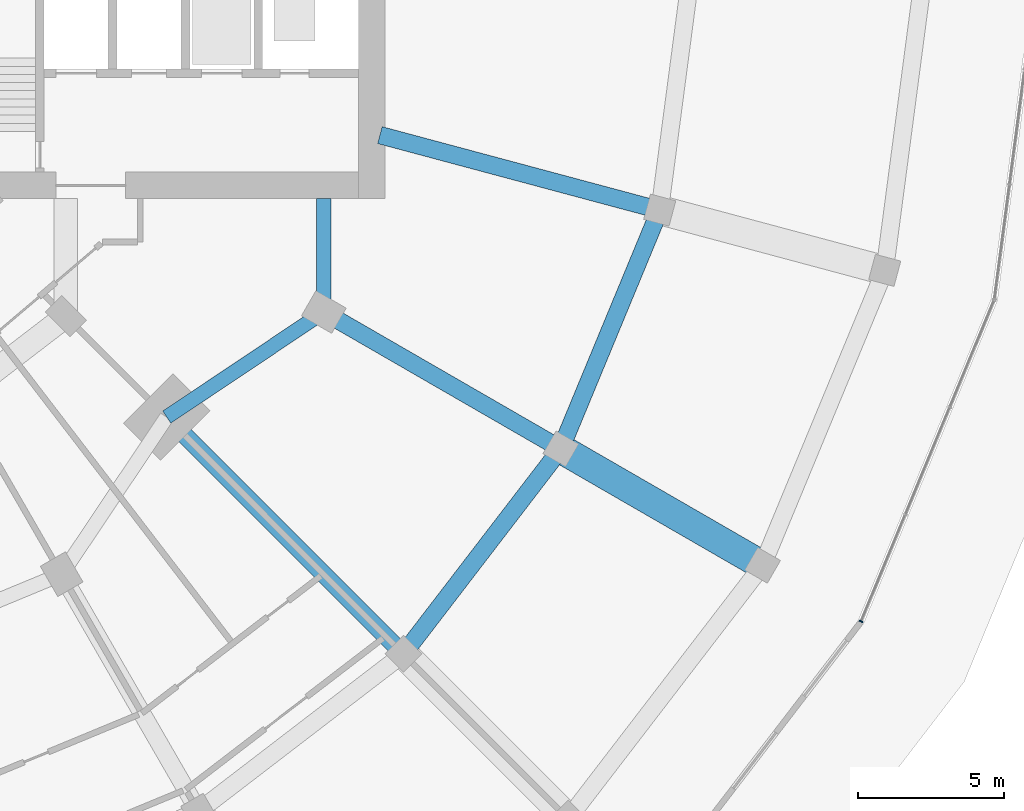
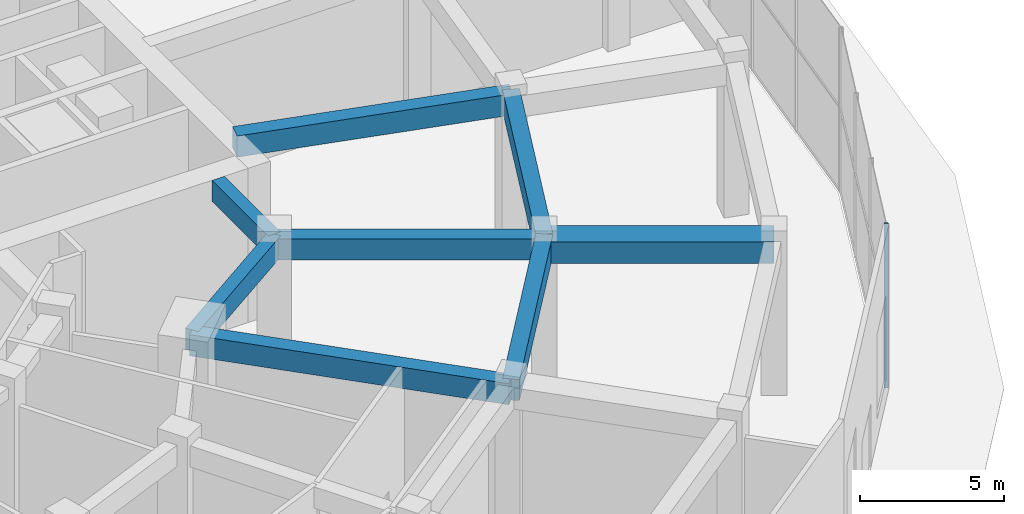
# One storey, part 8 of 31: 8 beams, 1 member, 1 element without a shape of its own.
"""IFC4 building model written with IfcOpenShell, lengths in metres."""

from ifc_helpers import new_model, si_unit, direction, frame, origin, origin_2d, place, context, subcontext, project, spatial, rectangle, extrude, material, layer, layer_set, material_profile, profile_set, type_object, element, aggregate, save


model = new_model("IFC4")

# Units and contexts
model_context = context("Model", 3, precision=1e-05, world=origin(), true_north=direction((0.0, 1.0)))
body_context = subcontext(model_context, "Body", "Model", "MODEL_VIEW")
ifc_project = project(units=[si_unit("LENGTHUNIT", "METRE"), si_unit("AREAUNIT", "SQUARE_METRE"), si_unit("VOLUMEUNIT", "CUBIC_METRE"), si_unit("PLANEANGLEUNIT", "RADIAN"), si_unit("MASSUNIT", "GRAM", prefix="KILO")], contexts=[model_context])

# Site, building, storey
site_placement = place(None, origin())
site = spatial("IfcSite", under=ifc_project, at=site_placement, CompositionType="ELEMENT")
building_placement = place(site_placement, origin())
building = spatial("IfcBuilding", under=site, at=building_placement, Name="Torre Brocal", CompositionType="ELEMENT")
storey_placement = place(building_placement, origin())
storey = spatial("IfcBuildingStorey", under=building, at=storey_placement, Name="L00", CompositionType="ELEMENT", Elevation=0.0)

# Curtain wall, member
ifc_material_1 = material(Name="Aluminium and glass", Category="aluminium")
ifc_layer = layer(ifc_material_1, 0.199951171875)
ifc_layer_set = layer_set([ifc_layer], Name="Aluminium and glass")
curtain_wall_type = type_object("IfcCurtainWallType", Name="CW-3 CURTAIN WALL 7000 HIGH", PredefinedType="NOTDEFINED", material=ifc_layer_set)
curtain_wall_placement = place(storey_placement, origin())
curtain_wall = element("IfcCurtainWall", 1, at=curtain_wall_placement, inside=storey, type_object=curtain_wall_type, Name="CW-3 RUN 23", PredefinedType="NOTDEFINED")
ifc_material_2 = material(Name="Aluminium, dark anodised", Category="aluminium")
ifc_material_profile_1 = material_profile(ifc_material_2, rectangle(XDim=0.14990234375, YDim=0.050048828125, at=origin_2d()), Name="CW-3 MULLION 50X150")
ifc_profile_set_1 = profile_set([ifc_material_profile_1], Name="Aluminium, dark anodised")
member_type = type_object("IfcMemberType", Name="CW-3 MULLION 50X150", PredefinedType="MULLION", material=ifc_profile_set_1)
member_placement = place(storey_placement, frame((119.75927734375, 52.073486328125, 0.0), z_axis=(0.0, 0.0, 1.0), x_axis=(-0.923879532525, 0.382683432333, 0.0)))
member = element("IfcMember", 2, at=member_placement, type_object=member_type, Name="CW3-1 mullion 1", PredefinedType="MULLION", context=body_context, shape_type="SweptSolid", body=[
    extrude(rectangle(XDim=0.14990234375, YDim=0.050048828125, at=origin_2d()), origin(), (0.0, 0.0, 1.0), 7.0),
])
aggregate(curtain_wall, [member])

# Beams
ifc_material_3 = material(Name="Concrete C50", Category="concrete")
ifc_material_profile_2 = material_profile(ifc_material_3, rectangle(XDim=0.60009765625, YDim=0.89990234375, at=origin_2d()), Name="RC 600X900")
ifc_profile_set_2 = profile_set([ifc_material_profile_2], Name="Concrete C50")
beam_type_1 = type_object("IfcBeamType", Name="RC BEAM 600X900 C50 TOP 6550", PredefinedType="BEAM", material=ifc_profile_set_2)
beam_1_placement = place(storey_placement, frame((104.041748046875, 50.958251953125, 6.10009765625), z_axis=(0.608743902882, 0.793366788253, 0.0), x_axis=(-0.793366788253, 0.608743902882, 0.0)))
element("IfcBeam", 3, at=beam_1_placement, inside=storey, type_object=beam_type_1, Name="Beam BT-07", PredefinedType="BEAM", context=body_context, shape_type="SweptSolid", body=[
    extrude(rectangle(XDim=0.60009765625, YDim=0.89990234375, at=origin_2d()), origin(), (0.0, 0.0, 1.0), 8.875732421875),
])
beam_2_placement = place(storey_placement, frame((109.44482421875, 58.0, 6.10009765625), z_axis=(0.382692703012, 0.923875692429, 0.0), x_axis=(-0.923875692429, 0.382692703012, 0.0)))
element("IfcBeam", 4, at=beam_2_placement, inside=storey, type_object=beam_type_1, Name="Beam BT-07", PredefinedType="BEAM", context=body_context, shape_type="SweptSolid", body=[
    extrude(rectangle(XDim=0.60009765625, YDim=0.89990234375, at=origin_2d()), origin(), (0.0, 0.0, 1.0), 8.8759765625),
])
beam_3_placement = place(storey_placement, frame((95.909912109375, 59.090087890625, 6.10009765625), z_axis=(0.707106781187, -0.707106781187, 0.0), x_axis=(0.707106781187, 0.707106781187, 0.0)))
element("IfcBeam", 5, at=beam_3_placement, inside=storey, type_object=beam_type_1, Name="Beam BT-07", PredefinedType="BEAM", context=body_context, shape_type="SweptSolid", body=[
    extrude(rectangle(XDim=0.60009765625, YDim=0.89990234375, at=origin_2d()), origin(), (0.0, 0.0, 1.0), 11.500244140625),
])
beam_4_placement = place(storey_placement, frame((101.30419921875, 62.699951171875, 6.10009765625), z_axis=(0.866027286158, -0.499996739618, 0.0), x_axis=(0.499996739618, 0.866027286158, 0.0)))
element("IfcBeam", 6, at=beam_4_placement, inside=storey, type_object=beam_type_1, Name="Beam BT-07", PredefinedType="BEAM", context=body_context, shape_type="SweptSolid", body=[
    extrude(rectangle(XDim=0.60009765625, YDim=0.89990234375, at=origin_2d()), origin(), (0.0, 0.0, 1.0), 9.39990234375),
])
beam_5_placement = place(storey_placement, frame((103.23046875, 68.775390625, 6.10009765625), z_axis=(0.965928009134, -0.258810898477, 0.0), x_axis=(0.258810898477, 0.965928009134, 0.0)))
element("IfcBeam", 7, at=beam_5_placement, inside=storey, type_object=beam_type_1, Name="Beam BT-07", PredefinedType="BEAM", context=body_context, shape_type="SweptSolid", body=[
    extrude(rectangle(XDim=0.60009765625, YDim=0.89990234375, at=origin_2d()), origin(), (0.0, 0.0, 1.0), 9.9501953125),
])
ifc_material_4 = material(Name="Concrete C50", Category="concrete")
ifc_material_profile_3 = material_profile(ifc_material_4, rectangle(XDim=0.5, YDim=0.89990234375, at=origin_2d()), Name="RC 500X900")
ifc_profile_set_3 = profile_set([ifc_material_profile_3], Name="Concrete C50")
beam_type_2 = type_object("IfcBeamType", Name="RC SPANDREL BEAM 500X900 C50 TOP 6550", PredefinedType="SPANDREL", material=ifc_profile_set_3)
beam_6_placement = place(storey_placement, frame((95.909912109375, 59.090087890625, 6.10009765625), z_axis=(0.831076844476, 0.556157602282, 0.0), x_axis=(-0.556157602282, 0.831076844476, 0.0)))
element("IfcBeam", 8, at=beam_6_placement, inside=storey, type_object=beam_type_2, Name="Beam BT-09", PredefinedType="SPANDREL", context=body_context, shape_type="SweptSolid", body=[
    extrude(rectangle(XDim=0.5, YDim=0.89990234375, at=origin_2d()), origin(), (0.0, 0.0, 1.0), 6.49072265625),
])
beam_7_placement = place(storey_placement, frame((101.30419921875, 62.699951171875, 6.10009765625), z_axis=(0.0, 1.0, 0.0), x_axis=(-1.0, 0.0, 0.0)))
element("IfcBeam", 9, at=beam_7_placement, inside=storey, type_object=beam_type_2, Name="Beam BT-09", PredefinedType="SPANDREL", context=body_context, shape_type="SweptSolid", body=[
    extrude(rectangle(XDim=0.5, YDim=0.89990234375, at=origin_2d()), origin(), (0.0, 0.0, 1.0), 3.900146484375),
])
ifc_material_5 = material(Name="Concrete C60", Category="concrete")
ifc_material_profile_4 = material_profile(ifc_material_5, rectangle(XDim=1.0, YDim=0.89990234375, at=origin_2d()), Name="RC 1000X900")
ifc_profile_set_4 = profile_set([ifc_material_profile_4], Name="Concrete C60")
beam_type_3 = type_object("IfcBeamType", Name="RC TRANSFER GIRDER 1000X900 C60 TOP 6550", PredefinedType="BEAM", material=ifc_profile_set_4)
beam_8_placement = place(storey_placement, frame((109.44482421875, 58.0, 6.10009765625), z_axis=(0.866026010844, -0.49999894854, 0.0), x_axis=(0.49999894854, 0.866026010844, 0.0)))
element("IfcBeam", 10, at=beam_8_placement, inside=storey, type_object=beam_type_3, Name="Beam TG-01", PredefinedType="BEAM", context=body_context, shape_type="SweptSolid", body=[
    extrude(rectangle(XDim=1.0, YDim=0.89990234375, at=origin_2d()), origin(), (0.0, 0.0, 1.0), 8.0),
])

save(model, "model.ifc")
